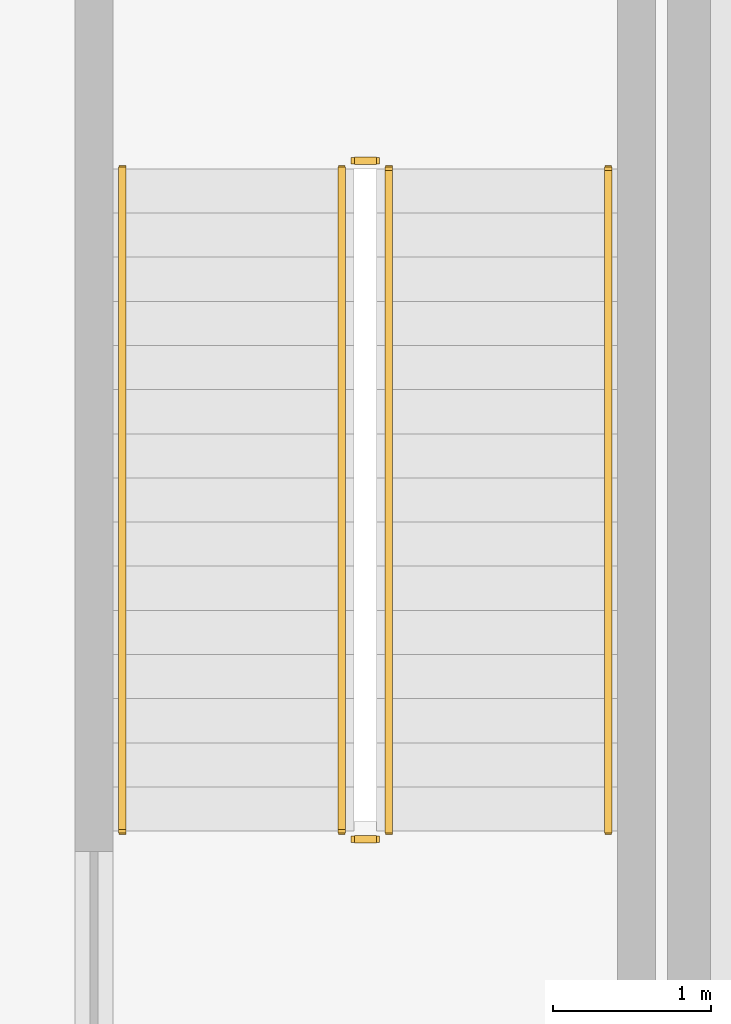
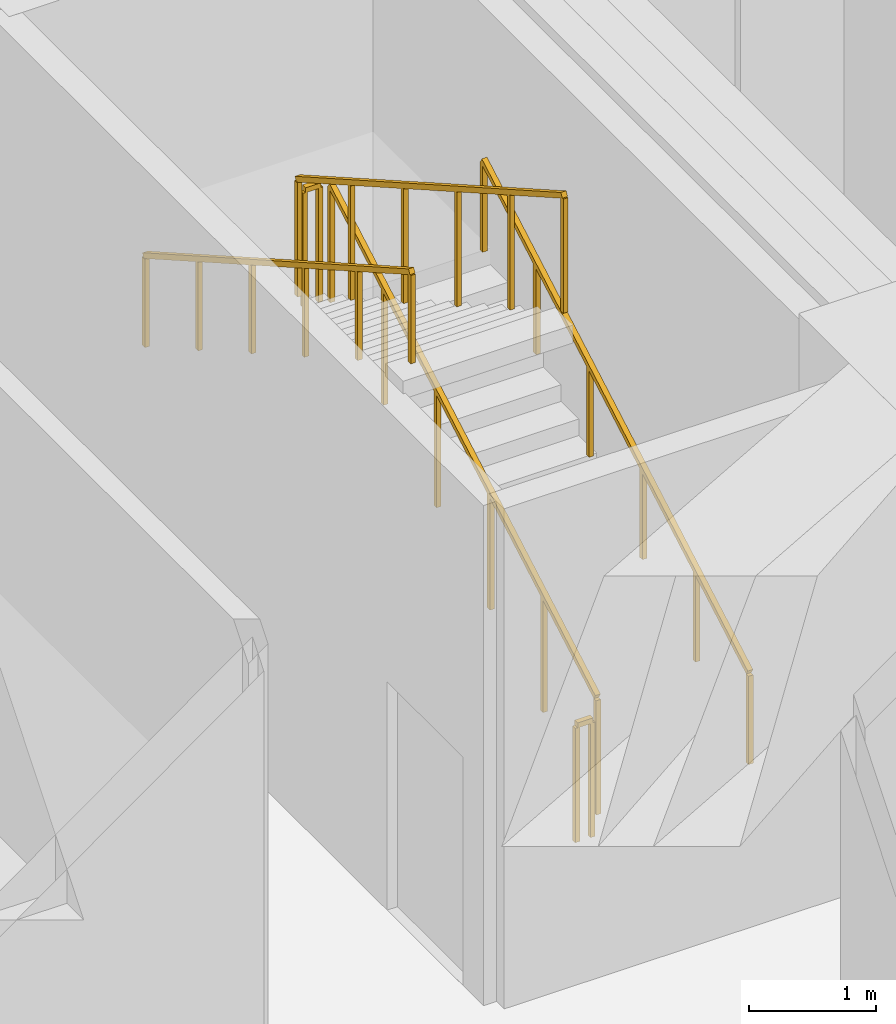
# One storey, part 11 of 14: 6 railings.
"""IFC4 building model written with IfcOpenShell, lengths in metres."""

from ifc_helpers import new_model, si_unit, direction, frame, origin, origin_2d, place, context, subcontext, project, spatial, rectangle, extrude, material, type_object, element, save


model = new_model("IFC4")

# Units and contexts
model_context = context("Model", 3, precision=1e-05, world=origin(), true_north=direction((0.0, 1.0)))
body_context = subcontext(model_context, "Body", "Model", "MODEL_VIEW")
ifc_project = project(units=[si_unit("LENGTHUNIT", "METRE"), si_unit("AREAUNIT", "SQUARE_METRE"), si_unit("VOLUMEUNIT", "CUBIC_METRE"), si_unit("PLANEANGLEUNIT", "RADIAN"), si_unit("MASSUNIT", "GRAM", prefix="KILO")], contexts=[model_context])

# Site, building, storey
site_placement = place(None, origin())
site = spatial("IfcSite", under=ifc_project, at=site_placement, CompositionType="ELEMENT")
building_placement = place(site_placement, origin())
building = spatial("IfcBuilding", under=site, at=building_placement, Name="Liaohun Quay Tower", CompositionType="ELEMENT")
storey_placement = place(building_placement, frame((0.0, 0.0, 23.39990234375)))
storey = spatial("IfcBuildingStorey", under=building, at=storey_placement, Name="L06", CompositionType="ELEMENT", Elevation=23.39990234375)

# Railings
ifc_material_1 = material(Name="Painted tubular steel", Category="steel")
railing_type_1 = type_object("IfcRailingType", Name="RLG-GUARD-STR", PredefinedType="GUARDRAIL", material=ifc_material_1)
railing_1_placement = place(storey_placement, frame((48.81005859375, 48.35009765625, 0.159423828125)))
element("IfcRailing", 1, at=railing_1_placement, inside=storey, type_object=railing_type_1, Name="L06 ST-1 stair guard 1", PredefinedType="GUARDRAIL", context=body_context, shape_type="SweptSolid", body=[
    extrude(rectangle(XDim=0.048095703125, YDim=0.048095703125, at=origin_2d()), frame((0.0, 0.0, 1.1259765625), z_axis=(0.0, 0.869075089623, 0.494680188199), x_axis=(-1.0, 0.0, 0.0)), (0.0, 0.0, 1.0), 4.832763671875),
    extrude(rectangle(XDim=0.0419921875, YDim=0.0419921875, at=origin_2d()), origin(), (0.0, 0.0, 1.0), 1.101806640625),
    extrude(rectangle(XDim=0.0419921875, YDim=0.0419921875, at=origin_2d()), frame((0.0, 0.840087890625, 0.47802734375)), (0.0, 0.0, 1.0), 1.101806640625),
    extrude(rectangle(XDim=0.0419921875, YDim=0.0419921875, at=origin_2d()), frame((0.0, 1.679931640625, 0.956298828125)), (0.0, 0.0, 1.0), 1.101806640625),
    extrude(rectangle(XDim=0.0419921875, YDim=0.0419921875, at=origin_2d()), frame((0.0, 2.52001953125, 1.434326171875)), (0.0, 0.0, 1.0), 1.101806640625),
    extrude(rectangle(XDim=0.0419921875, YDim=0.0419921875, at=origin_2d()), frame((0.0, 3.35986328125, 1.91259765625)), (0.0, 0.0, 1.0), 1.101806640625),
    extrude(rectangle(XDim=0.0419921875, YDim=0.0419921875, at=origin_2d()), frame((0.0, 4.199951171875, 2.390625)), (0.0, 0.0, 1.0), 1.101806640625),
])
railing_2_placement = place(storey_placement, frame((48.72998046875, 52.60009765625, 2.550048828125)))
element("IfcRailing", 2, at=railing_2_placement, inside=storey, type_object=railing_type_1, Name="L06 ST-1 stair guard 2", PredefinedType="GUARDRAIL", context=body_context, shape_type="SweptSolid", body=[
    extrude(rectangle(XDim=0.048095703125, YDim=0.048095703125, at=origin_2d()), frame((0.0, 0.0, 1.1259765625), z_axis=(-1.0, 0.0, 0.0), x_axis=(0.0, -1.0, 0.0)), (0.0, 0.0, 1.0), 0.139892578125),
    extrude(rectangle(XDim=0.0419921875, YDim=0.0419921875, at=origin_2d()), origin(), (0.0, 0.0, 1.0), 1.101806640625),
    extrude(rectangle(XDim=0.0419921875, YDim=0.0419921875, at=origin_2d()), frame((-0.139892578125, 0.0, 0.0)), (0.0, 0.0, 1.0), 1.101806640625),
])
railing_3_placement = place(storey_placement, frame((48.510009765625, 52.550048828125, 2.70947265625)))
element("IfcRailing", 3, at=railing_3_placement, inside=storey, type_object=railing_type_1, Name="L06 ST-1 stair guard 3", PredefinedType="GUARDRAIL", context=body_context, shape_type="SweptSolid", body=[
    extrude(rectangle(XDim=0.048095703125, YDim=0.048095703125, at=origin_2d()), frame((0.0, 0.0, 1.1259765625), z_axis=(0.0, -0.869075089623, 0.494680188199), x_axis=(1.0, 0.0, 0.0)), (0.0, 0.0, 1.0), 4.832763671875),
    extrude(rectangle(XDim=0.0419921875, YDim=0.0419921875, at=origin_2d()), origin(), (0.0, 0.0, 1.0), 1.101806640625),
    extrude(rectangle(XDim=0.0419921875, YDim=0.0419921875, at=origin_2d()), frame((0.0, -0.840087890625, 0.47802734375)), (0.0, 0.0, 1.0), 1.101806640625),
    extrude(rectangle(XDim=0.0419921875, YDim=0.0419921875, at=origin_2d()), frame((0.0, -1.679931640625, 0.956298828125)), (0.0, 0.0, 1.0), 1.101806640625),
    extrude(rectangle(XDim=0.0419921875, YDim=0.0419921875, at=origin_2d()), frame((0.0, -2.52001953125, 1.434326171875)), (0.0, 0.0, 1.0), 1.101806640625),
    extrude(rectangle(XDim=0.0419921875, YDim=0.0419921875, at=origin_2d()), frame((0.0, -3.35986328125, 1.91259765625)), (0.0, 0.0, 1.0), 1.101806640625),
    extrude(rectangle(XDim=0.0419921875, YDim=0.0419921875, at=origin_2d()), frame((0.0, -4.199951171875, 2.390625)), (0.0, 0.0, 1.0), 1.101806640625),
])
railing_4_placement = place(storey_placement, frame((48.72998046875, 48.300048828125, 0.0)))
element("IfcRailing", 4, at=railing_4_placement, inside=storey, type_object=railing_type_1, Name="L06 ST-1 stair guard 4", PredefinedType="GUARDRAIL", context=body_context, shape_type="SweptSolid", body=[
    extrude(rectangle(XDim=0.048095703125, YDim=0.048095703125, at=origin_2d()), frame((0.0, 0.0, 1.1259765625), z_axis=(-1.0, 0.0, 0.0), x_axis=(0.0, -1.0, 0.0)), (0.0, 0.0, 1.0), 0.139892578125),
    extrude(rectangle(XDim=0.0419921875, YDim=0.0419921875, at=origin_2d()), origin(), (0.0, 0.0, 1.0), 1.101806640625),
    extrude(rectangle(XDim=0.0419921875, YDim=0.0419921875, at=origin_2d()), frame((-0.139892578125, 0.0, 0.0)), (0.0, 0.0, 1.0), 1.101806640625),
])
ifc_material_2 = material(Name="Brushed stainless steel", Category="steel")
railing_type_2 = type_object("IfcRailingType", Name="RLG-HND-STR", PredefinedType="HANDRAIL", material=ifc_material_2)
railing_5_placement = place(storey_placement, frame((50.199951171875, 48.35009765625, 0.159423828125)))
element("IfcRailing", 5, at=railing_5_placement, inside=storey, type_object=railing_type_2, Name="L06 ST-1 stair handrail 1", PredefinedType="HANDRAIL", context=body_context, shape_type="SweptSolid", body=[
    extrude(rectangle(XDim=0.048095703125, YDim=0.048095703125, at=origin_2d()), frame((0.0, 0.0, 0.8759765625), z_axis=(0.0, 0.869075089623, 0.494680188199), x_axis=(-1.0, 0.0, 0.0)), (0.0, 0.0, 1.0), 4.832763671875),
    extrude(rectangle(XDim=0.0419921875, YDim=0.0419921875, at=origin_2d()), origin(), (0.0, 0.0, 1.0), 0.851806640625),
    extrude(rectangle(XDim=0.0419921875, YDim=0.0419921875, at=origin_2d()), frame((0.0, 0.840087890625, 0.47802734375)), (0.0, 0.0, 1.0), 0.851806640625),
    extrude(rectangle(XDim=0.0419921875, YDim=0.0419921875, at=origin_2d()), frame((0.0, 1.679931640625, 0.956298828125)), (0.0, 0.0, 1.0), 0.851806640625),
    extrude(rectangle(XDim=0.0419921875, YDim=0.0419921875, at=origin_2d()), frame((0.0, 2.52001953125, 1.434326171875)), (0.0, 0.0, 1.0), 0.851806640625),
    extrude(rectangle(XDim=0.0419921875, YDim=0.0419921875, at=origin_2d()), frame((0.0, 3.35986328125, 1.91259765625)), (0.0, 0.0, 1.0), 0.851806640625),
    extrude(rectangle(XDim=0.0419921875, YDim=0.0419921875, at=origin_2d()), frame((0.0, 4.199951171875, 2.390625)), (0.0, 0.0, 1.0), 0.851806640625),
])
railing_6_placement = place(storey_placement, frame((47.1201171875, 52.550048828125, 2.70947265625)))
element("IfcRailing", 6, at=railing_6_placement, inside=storey, type_object=railing_type_2, Name="L06 ST-1 stair handrail 2", PredefinedType="HANDRAIL", context=body_context, shape_type="SweptSolid", body=[
    extrude(rectangle(XDim=0.048095703125, YDim=0.048095703125, at=origin_2d()), frame((0.0, 0.0, 0.8759765625), z_axis=(0.0, -0.869075089623, 0.494680188199), x_axis=(1.0, 0.0, 0.0)), (0.0, 0.0, 1.0), 4.832763671875),
    extrude(rectangle(XDim=0.0419921875, YDim=0.0419921875, at=origin_2d()), origin(), (0.0, 0.0, 1.0), 0.851806640625),
    extrude(rectangle(XDim=0.0419921875, YDim=0.0419921875, at=origin_2d()), frame((0.0, -0.840087890625, 0.47802734375)), (0.0, 0.0, 1.0), 0.851806640625),
    extrude(rectangle(XDim=0.0419921875, YDim=0.0419921875, at=origin_2d()), frame((0.0, -1.679931640625, 0.956298828125)), (0.0, 0.0, 1.0), 0.851806640625),
    extrude(rectangle(XDim=0.0419921875, YDim=0.0419921875, at=origin_2d()), frame((0.0, -2.52001953125, 1.434326171875)), (0.0, 0.0, 1.0), 0.851806640625),
    extrude(rectangle(XDim=0.0419921875, YDim=0.0419921875, at=origin_2d()), frame((0.0, -3.35986328125, 1.91259765625)), (0.0, 0.0, 1.0), 0.851806640625),
    extrude(rectangle(XDim=0.0419921875, YDim=0.0419921875, at=origin_2d()), frame((0.0, -4.199951171875, 2.390625)), (0.0, 0.0, 1.0), 0.851806640625),
])

save(model, "model.ifc")
